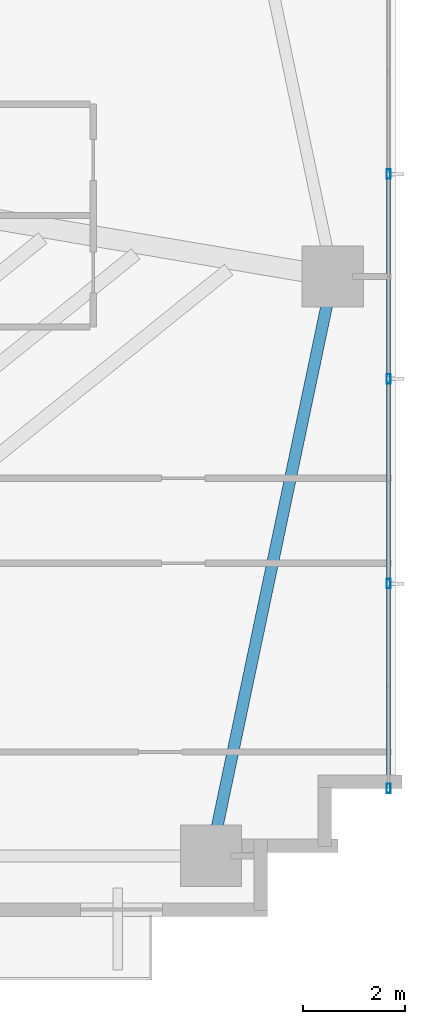
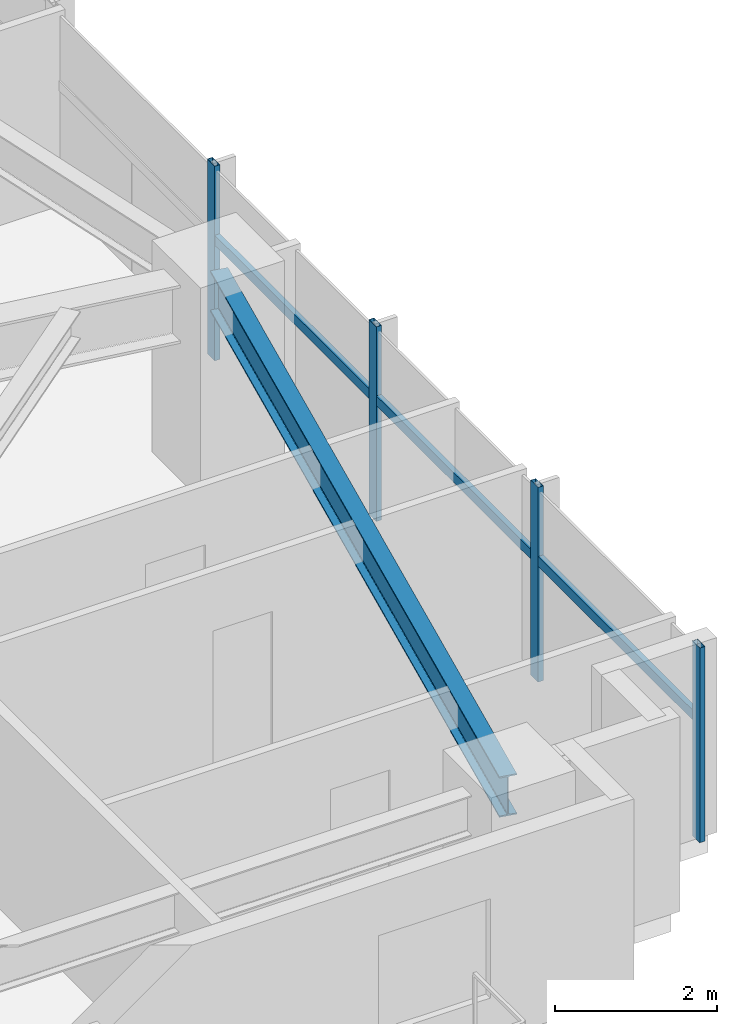
# One storey, part 14 of 25: 7 members, 1 beam, 1 element without a shape of its own.
"""IFC4 building model written with IfcOpenShell, lengths in metres."""

import ifcopenshell
import ifcopenshell.guid

model = None  # the IFC model being written
_history = None  # IfcOwnerHistory: only IFC2X3 demands one
_inside = {}  # id of a spatial element -> (the spatial element, [elements in it])
_under = {}  # id of a project, library or spatial element -> (it, [spatial elements below it])
_declared = {}  # id of a project -> (the project, [libraries it declares])
_typed = {}  # id of a type object -> (the type object, [elements of that type])
_made_of = {}  # id of a material, layer set ... -> (it, [elements and type objects made of it])


def new_model(schema):
    """Start an empty IFC model of exactly this schema.

    Asked for "IFC4X3", IfcOpenShell would pick the latest addendum, in which some entities
    have other attributes; the version numbers below select the first issue.
    IFC2X3 requires an IfcOwnerHistory on every rooted entity: one is made here for all.
    """
    global model, _history
    if schema == "IFC4X3":
        model = ifcopenshell.file(schema_version=(4, 3, 0, 0))
    else:
        model = ifcopenshell.file(schema=schema)
    _inside.clear()
    _under.clear()
    _declared.clear()
    _typed.clear()
    _made_of.clear()
    _history = None
    if model.schema == "IFC2X3":
        org = make("IfcOrganization", Name="unknown")
        user = make(
            "IfcPersonAndOrganization",
            ThePerson=make("IfcPerson", FamilyName="unknown"),
            TheOrganization=org,
        )
        app = make(
            "IfcApplication",
            ApplicationDeveloper=org,
            Version="unknown",
            ApplicationFullName="unknown",
            ApplicationIdentifier="unknown",
        )
        _history = make(
            "IfcOwnerHistory",
            OwningUser=user,
            OwningApplication=app,
            ChangeAction="ADDED",
            CreationDate=0,
        )
    return model


def make(cls, **values):
    """One entity of the class cls with the attributes given. An attribute that is None is left unset."""
    return model.create_entity(
        cls, **{name: value for name, value in values.items() if value is not None}
    )


def rooted(cls, **values):
    """An entity with a GlobalId (a new one), such as an element, a storey or a relation."""
    return make(cls, GlobalId=ifcopenshell.guid.new(), OwnerHistory=_history, **values)


def si_unit(unit_type, name, prefix=None):
    """IfcSIUnit, for example si_unit("LENGTHUNIT", "METRE", prefix="MILLI")."""
    return make("IfcSIUnit", UnitType=unit_type, Prefix=prefix, Name=name)


def assignment(units):
    """IfcUnitAssignment: the units of a project."""
    return None if units is None else make("IfcUnitAssignment", Units=units)


def point(xyz):
    """IfcCartesianPoint."""
    return None if xyz is None else make("IfcCartesianPoint", Coordinates=xyz)


def direction(xyz):
    """IfcDirection."""
    return None if xyz is None else make("IfcDirection", DirectionRatios=xyz)


def frame(location, z_axis=None, x_axis=None):
    """IfcAxis2Placement3D, a coordinate frame: its origin and axes. An axis left out is left unset."""
    return make(
        "IfcAxis2Placement3D",
        Location=point(location),
        Axis=direction(z_axis),
        RefDirection=direction(x_axis),
    )


def frame_2d(location, x_axis=None):
    """IfcAxis2Placement2D, a coordinate frame in the plane: its origin and x axis."""
    return make(
        "IfcAxis2Placement2D", Location=point(location), RefDirection=direction(x_axis)
    )


def origin():
    """The frame at (0, 0, 0) with its axes left unset."""
    return frame((0.0, 0.0, 0.0))


def origin_2d():
    """The frame at (0, 0) in the plane with its x axis left unset."""
    return frame_2d((0.0, 0.0))


def place(relative_to, where):
    """IfcLocalPlacement: puts the frame where relative to a parent placement (None: the world)."""
    return make(
        "IfcLocalPlacement", PlacementRelTo=relative_to, RelativePlacement=where
    )


def context(
    kind, dimensions, precision=None, world=None, true_north=None, identifier=None
):
    """IfcGeometricRepresentationContext, for example the 3D "Model" context."""
    return make(
        "IfcGeometricRepresentationContext",
        ContextIdentifier=identifier,
        ContextType=kind,
        CoordinateSpaceDimension=dimensions,
        Precision=precision,
        WorldCoordinateSystem=world,
        TrueNorth=true_north,
    )


def subcontext(parent, identifier, kind, view, scale=None):
    """IfcGeometricRepresentationSubContext, for example "Body" below "Model"."""
    return make(
        "IfcGeometricRepresentationSubContext",
        ContextIdentifier=identifier,
        ContextType=kind,
        ParentContext=parent,
        TargetScale=scale,
        TargetView=view,
    )


def project(units=None, contexts=None):
    """IfcProject with its units and contexts."""
    return rooted(
        "IfcProject",
        Name="project",
        RepresentationContexts=contexts,
        UnitsInContext=assignment(units),
    )


def spatial(cls, under=None, at=None, **own):
    """A site, building, storey or space (cls), placed at a placement, below another one or the project."""
    s = rooted(cls, ObjectPlacement=at, **own)
    if under is not None:
        _under.setdefault(under.id(), (under, []))[1].append(s)
    return s


def profile(cls, at=None, kind="AREA", **sizes):
    """A parametric profile (cls). Its sizes go by their IFC names, for example OverallWidth=200.0."""
    return make(cls, ProfileType=kind, Position=at, **sizes)


def hollow_rectangle(**sizes):
    """IfcRectangleHollowProfileDef."""
    return profile("IfcRectangleHollowProfileDef", **sizes)


def i_section(**sizes):
    """IfcIShapeProfileDef."""
    return profile("IfcIShapeProfileDef", **sizes)


def extrude(swept, where, along, depth):
    """IfcExtrudedAreaSolid: the profile swept, set in the frame where, extruded along a direction by depth."""
    return make(
        "IfcExtrudedAreaSolid",
        SweptArea=swept,
        Position=where,
        ExtrudedDirection=direction(along),
        Depth=depth,
    )


def shape(context_of_items, identifier, shape_type, items):
    """IfcShapeRepresentation: the items that make up one representation, for example the "Body"."""
    return make(
        "IfcShapeRepresentation",
        ContextOfItems=context_of_items,
        RepresentationIdentifier=identifier,
        RepresentationType=shape_type,
        Items=items,
    )


def source(mapping_origin, context_of_items, identifier, shape_type, items):
    """IfcRepresentationMap: a shape defined once, which mapped items show again and again."""
    return make(
        "IfcRepresentationMap",
        MappingOrigin=mapping_origin,
        MappedRepresentation=shape(context_of_items, identifier, shape_type, items),
    )


def transform(
    local_origin,
    x_axis=None,
    y_axis=None,
    z_axis=None,
    scale=None,
    scale2=None,
    scale3=None,
    uniform=True,
):
    """IfcCartesianTransformationOperator3D, or its non-uniform kind. x_axis, y_axis, z_axis: its Axis1, 2, 3."""
    if uniform:
        return make(
            "IfcCartesianTransformationOperator3D",
            Axis1=direction(x_axis),
            Axis2=direction(y_axis),
            LocalOrigin=point(local_origin),
            Scale=scale,
            Axis3=direction(z_axis),
        )
    return make(
        "IfcCartesianTransformationOperator3DnonUniform",
        Axis1=direction(x_axis),
        Axis2=direction(y_axis),
        LocalOrigin=point(local_origin),
        Scale=scale,
        Axis3=direction(z_axis),
        Scale2=scale2,
        Scale3=scale3,
    )


def mapped(mapping_source, mapping_target):
    """IfcMappedItem: shows the shape of a source again, moved by a transform."""
    return make(
        "IfcMappedItem", MappingSource=mapping_source, MappingTarget=mapping_target
    )


def material(Name=None, Category=None):
    """IfcMaterial."""
    return make("IfcMaterial", Name=Name, Category=Category)


def material_profile(
    of_material, cross_section, Name=None, Category=None, Priority=None
):
    """IfcMaterialProfile: a cross section and its material."""
    return make(
        "IfcMaterialProfile",
        Name=Name,
        Material=of_material,
        Profile=cross_section,
        Priority=Priority,
        Category=Category,
    )


def profile_set(profiles, Name=None, composite=None):
    """IfcMaterialProfileSet."""
    return make(
        "IfcMaterialProfileSet",
        Name=Name,
        MaterialProfiles=profiles,
        CompositeProfile=composite,
    )


def made_of(thing, what):
    """Note that an element or type object is made of a material, layer set ...; save() writes the relation."""
    if what is not None:
        _made_of.setdefault(what.id(), (what, []))[1].append(thing)
    return thing


def type_object(cls, material=None, **own):
    """A type object (cls), such as IfcWallType, which elements share."""
    return made_of(rooted(cls, **own), material)


def type_shapes(of_type, sources):
    """Give a type object the sources (RepresentationMaps) that its elements show as mapped items."""
    of_type.RepresentationMaps = sources


def element(
    cls,
    number,
    at=None,
    inside=None,
    cuts=None,
    type_object=None,
    material=None,
    context=None,
    identifier="Body",
    shape_type=None,
    held_by="IfcProductDefinitionShape",
    body=None,
    shapes=None,
    **own,
):
    """One element of the class cls, such as IfcWall. Its Tag is "e" and its number.

    at: its placement. inside: the storey or other place that contains it. cuts: it is an
    opening in that element (IfcRelVoidsElement). A single representation is given by context,
    identifier, shape_type and body (its items); several are given by shapes. held_by: the class
    of the entity that holds the representations. save() writes the other relations.
    """
    e = rooted(cls, Tag="e%d" % number, ObjectPlacement=at, **own)
    if body is not None:
        shapes = [shape(context, identifier, shape_type, body)]
    if shapes is not None:
        e.Representation = make(held_by, Representations=shapes)
    if inside is not None:
        _inside.setdefault(inside.id(), (inside, []))[1].append(e)
    if cuts is not None:
        rooted(
            "IfcRelVoidsElement", RelatingBuildingElement=cuts, RelatedOpeningElement=e
        )
    if type_object is not None:
        _typed.setdefault(type_object.id(), (type_object, []))[1].append(e)
    return made_of(e, material)


def aggregate(whole, parts):
    """IfcRelAggregates: a whole, such as a stair, and the parts it consists of."""
    return rooted("IfcRelAggregates", RelatingObject=whole, RelatedObjects=parts)


def save(model, path):
    """Write the relations noted so far, then the file.

    IfcRelAggregates (storeys below a building ...), IfcRelContainedInSpatialStructure (elements
    in a storey), IfcRelDefinesByType, IfcRelAssociatesMaterial and IfcRelDeclares: one each for
    every whole, place, type object, material and project.
    """
    for whole, parts in _under.values():
        aggregate(whole, parts)
    for where, things in _inside.values():
        rooted(
            "IfcRelContainedInSpatialStructure",
            RelatedElements=things,
            RelatingStructure=where,
        )
    for kind, things in _typed.values():
        rooted("IfcRelDefinesByType", RelatedObjects=things, RelatingType=kind)
    for what, things in _made_of.values():
        rooted("IfcRelAssociatesMaterial", RelatedObjects=things, RelatingMaterial=what)
    for by, libraries in _declared.values():
        rooted("IfcRelDeclares", RelatingContext=by, RelatedDefinitions=libraries)
    model.write(path)


model = new_model("IFC4")

# Units and contexts
model_context = context("Model", 3, precision=1e-05, world=origin(), true_north=direction((0.0, 1.0)))
body_context = subcontext(model_context, "Body", "Model", "MODEL_VIEW")
ifc_project = project(units=[si_unit("LENGTHUNIT", "METRE"), si_unit("AREAUNIT", "SQUARE_METRE"), si_unit("VOLUMEUNIT", "CUBIC_METRE"), si_unit("PLANEANGLEUNIT", "RADIAN"), si_unit("MASSUNIT", "GRAM", prefix="KILO")], contexts=[model_context])

# Site, building, storey
site_placement = place(None, origin())
site = spatial("IfcSite", under=ifc_project, at=site_placement, CompositionType="ELEMENT")
building_placement = place(site_placement, origin())
building = spatial("IfcBuilding", under=site, at=building_placement, Name="Astriad Promenade Condominiums", CompositionType="ELEMENT")
storey_placement = place(building_placement, frame((0.0, 0.0, 32.60009765625)))
storey = spatial("IfcBuildingStorey", under=building, at=storey_placement, Name="L08", CompositionType="ELEMENT", Elevation=32.60009765625)

# Beam
ifc_material_1 = material(Name="Steel ASTM A992 Grade 50", Category="steel")
ifc_material_profile_1 = material_profile(ifc_material_1, i_section(OverallWidth=0.22900390625, OverallDepth=0.612060546875, WebThickness=0.011962890625, FlangeThickness=0.01953125, FilletRadius=0.017822265625, at=origin_2d()), Name="W24X84")
ifc_profile_set_1 = profile_set([ifc_material_profile_1], Name="Steel ASTM A992 Grade 50")
beam_type = type_object("IfcBeamType", Name="STEEL SPANDREL BEAM W24X84", PredefinedType="SPANDREL", material=ifc_profile_set_1)
shared_shape_1 = source(origin(), body_context, "Body", "SweptSolid", [
    extrude(i_section(OverallWidth=0.22900390625, OverallDepth=0.612060546875, WebThickness=0.011962890625, FlangeThickness=0.01953125, FilletRadius=0.017822265625, at=origin_2d()), origin(), (0.0, 0.0, 1.0), 11.487548828125),
])
type_shapes(beam_type, [shared_shape_1])
beam_placement = place(storey_placement, frame((56.208251953125, 3.919189453125, 2.6337890625), z_axis=(0.205748055501, 0.978604995725, 0.0), x_axis=(-0.978604995725, 0.205748055501, 0.0)))
element("IfcBeam", 1, at=beam_placement, inside=storey, type_object=beam_type, Name="Perimeter Spandrel Beam SP-E1-L08", PredefinedType="SPANDREL", context=body_context, shape_type="MappedRepresentation", body=[
    mapped(shared_shape_1, transform((0.0, 0.0, 0.0), scale=1.0)),
])

# Curtain wall, members
ifc_material_2 = material(Name="Anodised aluminium Black Dark Glass Unitised", Category="aluminium")
curtain_wall_type = type_object("IfcCurtainWallType", Name="CW-B1-DARK", PredefinedType="USERDEFINED", material=ifc_material_2)
curtain_wall_placement = place(storey_placement, origin())
curtain_wall = element("IfcCurtainWall", 2, at=curtain_wall_placement, inside=storey, type_object=curtain_wall_type, Name="CW-L08-E", ObjectType="UNITISED_CURTAIN_WALL", PredefinedType="USERDEFINED")
ifc_material_3 = material(Name="Anodised aluminium 6063-T6 Black", Category="aluminium")
ifc_material_profile_2 = material_profile(ifc_material_3, hollow_rectangle(XDim=0.074951171875, YDim=0.18505859375, WallThickness=0.00439453125, at=origin_2d()), Name="ALU-MUL-75X185")
ifc_profile_set_2 = profile_set([ifc_material_profile_2], Name="Anodised aluminium 6063-T6 Black")
member_type_1 = type_object("IfcMemberType", Name="MUL-ALU-MUL-75X185", PredefinedType="MULLION", material=ifc_profile_set_2)
shared_shape_2 = source(origin(), body_context, "Body", "SweptSolid", [
    extrude(hollow_rectangle(XDim=0.074951171875, YDim=0.18505859375, WallThickness=0.00439453125, at=origin_2d()), origin(), (0.0, 0.0, 1.0), 2.93994140625),
])
type_shapes(member_type_1, [shared_shape_2])
member_1_placement = place(storey_placement, frame((59.669921875, 17.199951171875, 0.0), z_axis=(0.0, 0.0, 1.0), x_axis=(1.0, 0.0, 0.0)))
member_1 = element("IfcMember", 3, at=member_1_placement, type_object=member_type_1, Name="CW-L08-E-MUL-02", PredefinedType="MULLION", context=body_context, shape_type="MappedRepresentation", body=[
    mapped(shared_shape_2, transform((0.0, 0.0, 0.0), scale=1.0)),
])
member_2_placement = place(storey_placement, frame((59.669921875, 13.199951171875, 0.0), z_axis=(0.0, 0.0, 1.0), x_axis=(1.0, 0.0, 0.0)))
member_2 = element("IfcMember", 4, at=member_2_placement, type_object=member_type_1, Name="CW-L08-E-MUL-03", PredefinedType="MULLION", context=body_context, shape_type="MappedRepresentation", body=[
    mapped(shared_shape_2, transform((0.0, 0.0, 0.0), scale=1.0)),
])
member_3_placement = place(storey_placement, frame((59.669921875, 9.199951171875, 0.0), z_axis=(0.0, 0.0, 1.0), x_axis=(1.0, 0.0, 0.0)))
member_3 = element("IfcMember", 5, at=member_3_placement, type_object=member_type_1, Name="CW-L08-E-MUL-04", PredefinedType="MULLION", context=body_context, shape_type="MappedRepresentation", body=[
    mapped(shared_shape_2, transform((0.0, 0.0, 0.0), scale=1.0)),
])
member_4_placement = place(storey_placement, frame((59.669921875, 5.199951171875, 0.0), z_axis=(0.0, 0.0, 1.0), x_axis=(1.0, 0.0, 0.0)))
member_4 = element("IfcMember", 6, at=member_4_placement, type_object=member_type_1, Name="CW-L08-E-MUL-05", PredefinedType="MULLION", context=body_context, shape_type="MappedRepresentation", body=[
    mapped(shared_shape_2, transform((0.0, 0.0, 0.0), scale=1.0)),
])
ifc_material_profile_3 = material_profile(ifc_material_3, hollow_rectangle(XDim=0.074951171875, YDim=0.14990234375, WallThickness=0.004150390625, at=origin_2d()), Name="ALU-TRN-75X150")
ifc_profile_set_3 = profile_set([ifc_material_profile_3], Name="Anodised aluminium 6063-T6 Black")
member_type_2 = type_object("IfcMemberType", Name="TRN-ALU-TRN-75X150", PredefinedType="USERDEFINED", material=ifc_profile_set_3)
shared_shape_3 = source(origin(), body_context, "Body", "SweptSolid", [
    extrude(hollow_rectangle(XDim=0.074951171875, YDim=0.14990234375, WallThickness=0.004150390625, at=origin_2d()), origin(), (0.0, 0.0, 1.0), 4.0),
])
type_shapes(member_type_2, [shared_shape_3])
member_5_placement = place(storey_placement, frame((59.669921875, 17.199951171875, 1.82275390625), z_axis=(0.0, -1.0, 0.0), x_axis=(1.0, 0.0, 0.0)))
member_5 = element("IfcMember", 7, at=member_5_placement, type_object=member_type_2, Name="CW-L08-E-TRN-02-0", ObjectType="TRANSOM", PredefinedType="USERDEFINED", context=body_context, shape_type="MappedRepresentation", body=[
    mapped(shared_shape_3, transform((0.0, 0.0, 0.0), scale=1.0)),
])
member_6_placement = place(storey_placement, frame((59.669921875, 13.199951171875, 1.82275390625), z_axis=(0.0, -1.0, 0.0), x_axis=(1.0, 0.0, 0.0)))
member_6 = element("IfcMember", 8, at=member_6_placement, type_object=member_type_2, Name="CW-L08-E-TRN-03-0", ObjectType="TRANSOM", PredefinedType="USERDEFINED", context=body_context, shape_type="MappedRepresentation", body=[
    mapped(shared_shape_3, transform((0.0, 0.0, 0.0), scale=1.0)),
])
member_7_placement = place(storey_placement, frame((59.669921875, 9.199951171875, 1.82275390625), z_axis=(0.0, -1.0, 0.0), x_axis=(1.0, 0.0, 0.0)))
member_7 = element("IfcMember", 9, at=member_7_placement, type_object=member_type_2, Name="CW-L08-E-TRN-04-0", ObjectType="TRANSOM", PredefinedType="USERDEFINED", context=body_context, shape_type="MappedRepresentation", body=[
    mapped(shared_shape_3, transform((0.0, 0.0, 0.0), scale=1.0)),
])
aggregate(curtain_wall, [member_1, member_2, member_3, member_4, member_5, member_6, member_7])

save(model, "model.ifc")
